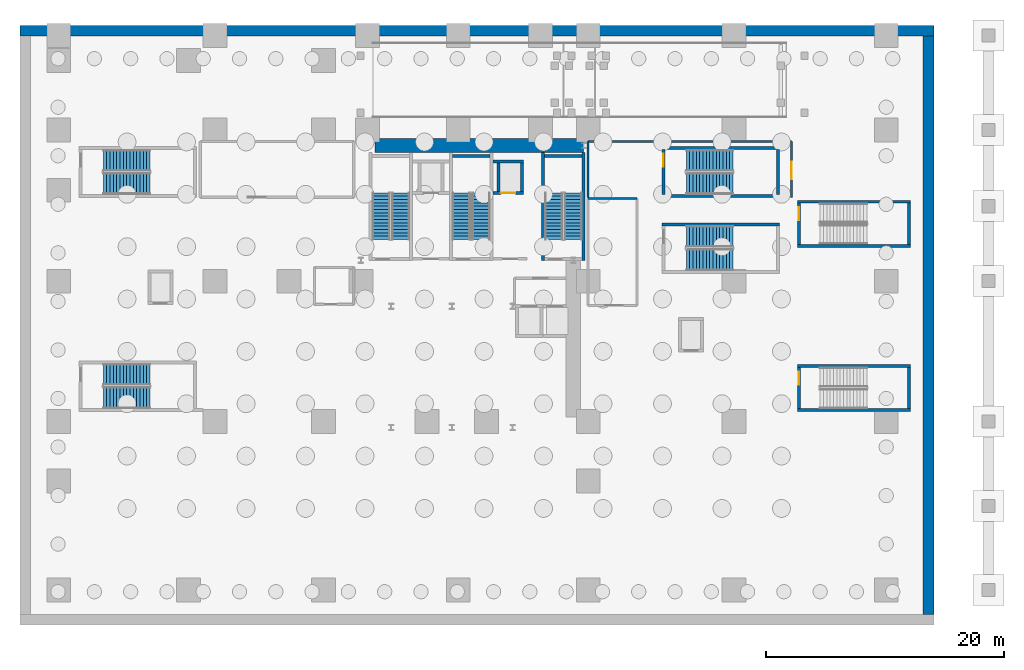
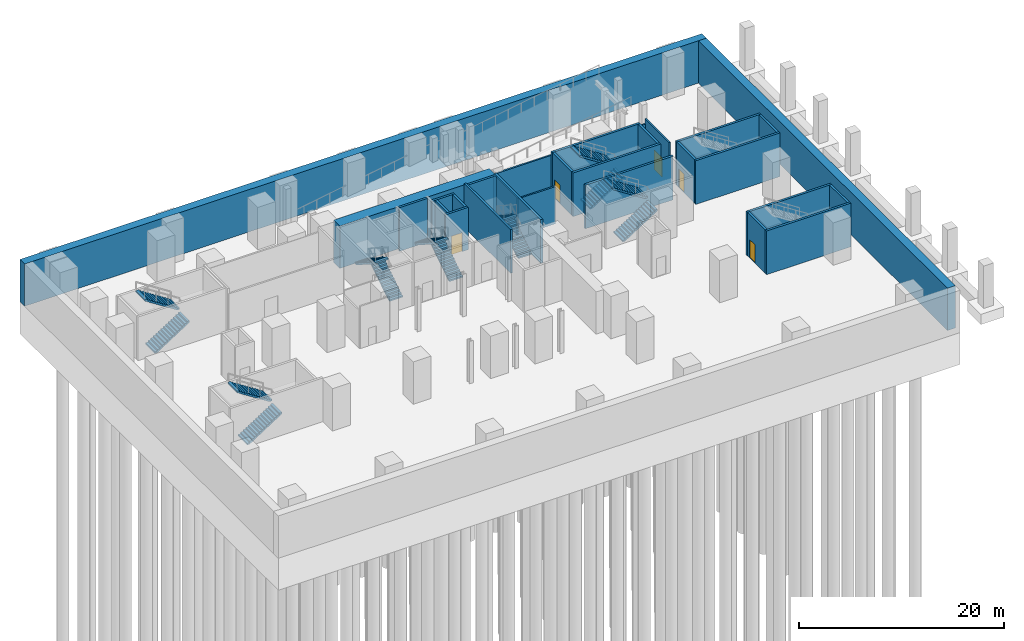
# One storey, part 6 of 14: 28 walls, 14 stair flights, 5 doors, 5 openings, 7 elements without a shape of their own.
"""IFC4 building model written with IfcOpenShell, lengths in metres."""

from ifc_helpers import new_model, si_unit, direction, frame, frame_2d, origin, place, context, subcontext, project, spatial, polyline, rectangle, outline, extrude, source, transform, mapped, material, layer, layer_set, type_object, element, fill, aggregate, save


model = new_model("IFC4")

# Units and contexts
model_context = context("Model", 3, precision=1e-05, world=origin(), true_north=direction((0.0, 1.0)))
body_context = subcontext(model_context, "Body", "Model", "MODEL_VIEW")
ifc_project = project(units=[si_unit("LENGTHUNIT", "METRE"), si_unit("AREAUNIT", "SQUARE_METRE"), si_unit("VOLUMEUNIT", "CUBIC_METRE"), si_unit("PLANEANGLEUNIT", "RADIAN"), si_unit("MASSUNIT", "GRAM", prefix="KILO")], contexts=[model_context])

# Site, building, storey
site_placement = place(None, origin())
site = spatial("IfcSite", under=ifc_project, at=site_placement, CompositionType="ELEMENT")
building_placement = place(site_placement, origin())
building = spatial("IfcBuilding", under=site, at=building_placement, Name="Vardaveli Station Tower", CompositionType="ELEMENT")
storey_placement = place(building_placement, frame((0.0, 0.0, -11.39990234375)))
storey = spatial("IfcBuildingStorey", under=building, at=storey_placement, Name="B02", CompositionType="ELEMENT", Elevation=-11.39990234375)

# Walls
ifc_material_1 = material(Name="Concrete C70/85", Category="concrete")
ifc_layer_1 = layer(ifc_material_1, 1.199951171875, Name="Concrete C70/85")
ifc_layer_set_1 = layer_set([ifc_layer_1], Name="Concrete C70/85")
wall_type_1 = type_object("IfcWallType", Name="WAL-CORE-1200", PredefinedType="SHEAR", material=ifc_layer_set_1)
shared_shape_1 = source(origin(), body_context, "Body", "SweptSolid", [
    extrude(rectangle(XDim=17.52001953125, YDim=1.199951171875, at=frame_2d((8.760009765625, 0.0))), origin(), (0.0, 0.0, 1.0), 5.039794921875),
])
wall_1_placement = place(storey_placement, frame((29.85009765625, 40.300048828125, 0.0), z_axis=(0.0, 0.0, 1.0), x_axis=(1.0, 0.0, 0.0)))
element("IfcWall", 1, at=wall_1_placement, inside=storey, type_object=wall_type_1, Name="SW-B02-NORTH", PredefinedType="SHEAR", context=body_context, shape_type="MappedRepresentation", body=[
    mapped(shared_shape_1, transform((0.0, 0.0, 0.0), scale=1.0)),
])
ifc_material_2 = material(Name="Concrete C40/50", Category="concrete")
ifc_layer_2 = layer(ifc_material_2, 0.89990234375, Name="Concrete C40/50")
ifc_layer_set_2 = layer_set([ifc_layer_2], Name="Concrete C40/50")
wall_type_2 = type_object("IfcWallType", Name="WAL-RET-900", PredefinedType="SOLIDWALL", material=ifc_layer_set_2)
shared_shape_2 = source(origin(), body_context, "Body", "SweptSolid", [
    extrude(rectangle(XDim=76.800048828125, YDim=0.89990234375, at=frame_2d((38.39990234375, 0.0))), origin(), (0.0, 0.0, 1.0), 5.039794921875),
])
wall_2_placement = place(storey_placement, frame((0.0, 49.949951171875, 0.0), z_axis=(0.0, 0.0, 1.0), x_axis=(1.0, 0.0, 0.0)))
element("IfcWall", 2, at=wall_2_placement, inside=storey, type_object=wall_type_2, Name="BW-B02-N", PredefinedType="SOLIDWALL", context=body_context, shape_type="MappedRepresentation", body=[
    mapped(shared_shape_2, transform((0.0, 0.0, 0.0), scale=1.0)),
])
shared_shape_3 = source(origin(), body_context, "Body", "SweptSolid", [
    extrude(rectangle(XDim=48.60009765625, YDim=0.89990234375, at=frame_2d((24.300048828125, 0.0))), origin(), (0.0, 0.0, 1.0), 5.039794921875),
])
wall_3_placement = place(storey_placement, frame((76.35009765625, 0.89990234375, 0.0), z_axis=(0.0, 0.0, 1.0), x_axis=(0.0, 1.0, 0.0)))
element("IfcWall", 3, at=wall_3_placement, inside=storey, type_object=wall_type_2, Name="BW-B02-E", PredefinedType="SOLIDWALL", context=body_context, shape_type="MappedRepresentation", body=[
    mapped(shared_shape_3, transform((0.0, 0.0, 0.0), scale=1.0)),
])
ifc_layer_3 = layer(ifc_material_2, 0.25, Name="Concrete C40/50")
ifc_layer_set_3 = layer_set([ifc_layer_3], Name="Concrete C40/50")
wall_type_3 = type_object("IfcWallType", Name="WAL-SHAFT-250", PredefinedType="SOLIDWALL", material=ifc_layer_set_3)
shared_shape_4 = source(origin(), body_context, "Body", "SweptSolid", [
    extrude(rectangle(XDim=9.050048828125, YDim=0.25, at=frame_2d((4.52490234375, 0.0))), origin(), (0.0, 0.0, 1.0), 5.199951171875),
])
for number, where, z_axis, x_axis, name in (
    (4, (43.97509765625, 30.64990234375, 0.0), (0.0, 0.0, 1.0), (0.0, 1.0, 0.0), "W-B02-ST-3W"),
    (5, (47.375, 30.64990234375, 0.0), (0.0, 0.0, 1.0), (0.0, 1.0, 0.0), "W-B02-ST-3E"),
):
    element("IfcWall", number, at=place(storey_placement, frame(where, z_axis=z_axis, x_axis=x_axis)), inside=storey, type_object=wall_type_3, Name=name, PredefinedType="SOLIDWALL", context=body_context, shape_type="MappedRepresentation", body=[
        mapped(shared_shape_4, transform((0.0, 0.0, 0.0), scale=1.0)),
    ])
shared_shape_5 = source(origin(), body_context, "Body", "SweptSolid", [
    extrude(rectangle(XDim=3.14990234375, YDim=0.25, at=frame_2d((1.574951171875, 0.0))), origin(), (0.0, 0.0, 1.0), 5.199951171875),
])
for number, where, z_axis, x_axis, name in (
    (6, (36.35009765625, 39.425048828125, 0.0), (0.0, 0.0, 1.0), (1.0, 0.0, 0.0), "W-B02-ST-2N"),
    (7, (44.10009765625, 39.425048828125, 0.0), (0.0, 0.0, 1.0), (1.0, 0.0, 0.0), "W-B02-ST-3N"),
):
    element("IfcWall", number, at=place(storey_placement, frame(where, z_axis=z_axis, x_axis=x_axis)), inside=storey, type_object=wall_type_3, Name=name, PredefinedType="SOLIDWALL", context=body_context, shape_type="MappedRepresentation", body=[
        mapped(shared_shape_5, transform((0.0, 0.0, 0.0), scale=1.0)),
    ])
shared_shape_6 = source(origin(), body_context, "Body", "SweptSolid", [
    extrude(rectangle(XDim=9.900146484375, YDim=0.25, at=frame_2d((4.9501953125, 0.0))), origin(), (0.0, 0.0, 1.0), 5.199951171875),
])
for number, where, z_axis, x_axis, name in (
    (8, (53.949951171875, 33.675048828125, 0.0), (0.0, 0.0, 1.0), (1.0, 0.0, 0.0), "W-B02-ST-S2N"),
    (9, (53.949951171875, 36.074951171875, 0.0), (0.0, 0.0, 1.0), (1.0, 0.0, 0.0), "W-B02-ST-P2S"),
    (10, (53.949951171875, 40.074951171875, 0.0), (0.0, 0.0, 1.0), (1.0, 0.0, 0.0), "W-B02-ST-P2N"),
):
    element("IfcWall", number, at=place(storey_placement, frame(where, z_axis=z_axis, x_axis=x_axis)), inside=storey, type_object=wall_type_3, Name=name, PredefinedType="SOLIDWALL", context=body_context, shape_type="MappedRepresentation", body=[
        mapped(shared_shape_6, transform((0.0, 0.0, 0.0), scale=1.0)),
    ])
shared_shape_7 = source(origin(), body_context, "Body", "SweptSolid", [
    extrude(rectangle(XDim=3.75, YDim=0.25, at=frame_2d((1.875, 0.0))), origin(), (0.0, 0.0, 1.0), 5.199951171875),
])
wall_4_placement = place(storey_placement, frame((63.72509765625, 36.199951171875, 0.0), z_axis=(0.0, 0.0, 1.0), x_axis=(0.0, 1.0, 0.0)))
element("IfcWall", 11, at=wall_4_placement, inside=storey, type_object=wall_type_3, Name="W-B02-ST-P2E", PredefinedType="SOLIDWALL", context=body_context, shape_type="MappedRepresentation", body=[
    mapped(shared_shape_7, transform((0.0, 0.0, 0.0), scale=1.0)),
])

# Wall, opening, door
wall_5_placement = place(storey_placement, frame((54.074951171875, 36.199951171875, 0.0), z_axis=(0.0, 0.0, 1.0), x_axis=(0.0, 1.0, 0.0)))
wall_5 = element("IfcWall", 12, at=wall_5_placement, inside=storey, type_object=wall_type_3, Name="W-B02-ST-P2W", PredefinedType="SOLIDWALL", context=body_context, shape_type="MappedRepresentation", body=[
    mapped(shared_shape_7, transform((0.0, 0.0, 0.0), scale=1.0)),
])
shared_shape_8 = source(origin(), body_context, "Body", "SweptSolid", [
    extrude(rectangle(XDim=1.10009765625, YDim=2.199951171875, at=frame_2d((0.550048828125, 1.10009765625))), frame((0.0, 0.135009765625, 0.0), z_axis=(0.0, -1.0, 0.0), x_axis=(1.0, 0.0, 0.0)), (0.0, 0.0, 1.0), 0.27001953125),
])
opening_1_placement = place(wall_5_placement, frame((2.300048828125, 0.0, 0.0)))
opening_1 = element("IfcOpeningElement", 13, at=opening_1_placement, cuts=wall_5, Name="Opening D-04", PredefinedType="OPENING", context=body_context, shape_type="MappedRepresentation", body=[
    mapped(shared_shape_8, transform((0.0, 0.0, 0.0), scale=1.0)),
])
ifc_material_3 = material(Name="Steel smokeproof fire doorset", Category="steel")
door_type_1 = type_object("IfcDoorType", Name="DR-ST-1100x2200", OperationType="NOTDEFINED", PredefinedType="DOOR", material=ifc_material_3)
shared_shape_9 = source(origin(), body_context, "Body", "SweptSolid", [
    extrude(rectangle(XDim=1.10009765625, YDim=2.199951171875, at=frame_2d((0.550048828125, 1.10009765625))), frame((0.0, 0.02490234375, 0.0), z_axis=(0.0, -1.0, 0.0), x_axis=(1.0, 0.0, 0.0)), (0.0, 0.0, 1.0), 0.050048828125),
])
door_1_placement = place(opening_1_placement, origin())
door_1 = element("IfcDoor", 14, at=door_1_placement, inside=storey, type_object=door_type_1, Name="DST-P2-B02", OperationType="SINGLE_SWING_RIGHT", OverallHeight=2.199951171875, OverallWidth=1.10009765625, PredefinedType="DOOR", context=body_context, shape_type="MappedRepresentation", body=[
    mapped(shared_shape_9, transform((0.0, 0.0, 0.0), scale=1.0)),
])
fill(opening_1, door_1)

# Walls
shared_shape_10 = source(origin(), body_context, "Body", "SweptSolid", [
    extrude(rectangle(XDim=9.5, YDim=0.25, at=frame_2d((4.75, 0.0))), origin(), (0.0, 0.0, 1.0), 5.199951171875),
])
for number, where, z_axis, x_axis, name in (
    (15, (65.35009765625, 18.074951171875, 0.0), (0.0, 0.0, 1.0), (1.0, 0.0, 0.0), "W-B02-ST-C1S"),
    (16, (65.35009765625, 21.77490234375, 0.0), (0.0, 0.0, 1.0), (1.0, 0.0, 0.0), "W-B02-ST-C1N"),
    (17, (65.35009765625, 31.875, 0.0), (0.0, 0.0, 1.0), (1.0, 0.0, 0.0), "W-B02-ST-C2S"),
    (18, (65.35009765625, 35.574951171875, 0.0), (0.0, 0.0, 1.0), (1.0, 0.0, 0.0), "W-B02-ST-C2N"),
):
    element("IfcWall", number, at=place(storey_placement, frame(where, z_axis=z_axis, x_axis=x_axis)), inside=storey, type_object=wall_type_3, Name=name, PredefinedType="SOLIDWALL", context=body_context, shape_type="MappedRepresentation", body=[
        mapped(shared_shape_10, transform((0.0, 0.0, 0.0), scale=1.0)),
    ])
shared_shape_11 = source(origin(), body_context, "Body", "SweptSolid", [
    extrude(rectangle(XDim=3.449951171875, YDim=0.25, at=frame_2d((1.72509765625, 0.0))), origin(), (0.0, 0.0, 1.0), 5.199951171875),
])
wall_6_placement = place(storey_placement, frame((74.72509765625, 18.199951171875, 0.0), z_axis=(0.0, 0.0, 1.0), x_axis=(0.0, 1.0, 0.0)))
element("IfcWall", 19, at=wall_6_placement, inside=storey, type_object=wall_type_3, Name="W-B02-ST-C1E", PredefinedType="SOLIDWALL", context=body_context, shape_type="MappedRepresentation", body=[
    mapped(shared_shape_11, transform((0.0, 0.0, 0.0), scale=1.0)),
])

# Wall, opening, door
wall_7_placement = place(storey_placement, frame((65.47509765625, 18.199951171875, 0.0), z_axis=(0.0, 0.0, 1.0), x_axis=(0.0, 1.0, 0.0)))
wall_7 = element("IfcWall", 20, at=wall_7_placement, inside=storey, type_object=wall_type_3, Name="W-B02-ST-C1W", PredefinedType="SOLIDWALL", context=body_context, shape_type="MappedRepresentation", body=[
    mapped(shared_shape_11, transform((0.0, 0.0, 0.0), scale=1.0)),
])
opening_2_placement = place(wall_7_placement, frame((2.0, 0.0, 0.0)))
opening_2 = element("IfcOpeningElement", 21, at=opening_2_placement, cuts=wall_7, Name="Opening D-04", PredefinedType="OPENING", context=body_context, shape_type="MappedRepresentation", body=[
    mapped(shared_shape_8, transform((0.0, 0.0, 0.0), scale=1.0)),
])
door_2_placement = place(opening_2_placement, origin())
door_2 = element("IfcDoor", 22, at=door_2_placement, inside=storey, type_object=door_type_1, Name="DST-C1-B02", OperationType="SINGLE_SWING_RIGHT", OverallHeight=2.199951171875, OverallWidth=1.10009765625, PredefinedType="DOOR", context=body_context, shape_type="MappedRepresentation", body=[
    mapped(shared_shape_9, transform((0.0, 0.0, 0.0), scale=1.0)),
])
fill(opening_2, door_2)

# Wall
wall_8_placement = place(storey_placement, frame((74.72509765625, 32.0, 0.0), z_axis=(0.0, 0.0, 1.0), x_axis=(0.0, 1.0, 0.0)))
element("IfcWall", 23, at=wall_8_placement, inside=storey, type_object=wall_type_3, Name="W-B02-ST-C2E", PredefinedType="SOLIDWALL", context=body_context, shape_type="MappedRepresentation", body=[
    mapped(shared_shape_11, transform((0.0, 0.0, 0.0), scale=1.0)),
])

# Wall, opening, door
wall_9_placement = place(storey_placement, frame((65.47509765625, 32.0, 0.0), z_axis=(0.0, 0.0, 1.0), x_axis=(0.0, 1.0, 0.0)))
wall_9 = element("IfcWall", 24, at=wall_9_placement, inside=storey, type_object=wall_type_3, Name="W-B02-ST-C2W", PredefinedType="SOLIDWALL", context=body_context, shape_type="MappedRepresentation", body=[
    mapped(shared_shape_11, transform((0.0, 0.0, 0.0), scale=1.0)),
])
opening_3_placement = place(wall_9_placement, frame((2.0, 0.0, 0.0)))
opening_3 = element("IfcOpeningElement", 25, at=opening_3_placement, cuts=wall_9, Name="Opening D-04", PredefinedType="OPENING", context=body_context, shape_type="MappedRepresentation", body=[
    mapped(shared_shape_8, transform((0.0, 0.0, 0.0), scale=1.0)),
])
door_3_placement = place(opening_3_placement, origin())
door_3 = element("IfcDoor", 26, at=door_3_placement, inside=storey, type_object=door_type_1, Name="DST-C2-B02", OperationType="SINGLE_SWING_RIGHT", OverallHeight=2.199951171875, OverallWidth=1.10009765625, PredefinedType="DOOR", context=body_context, shape_type="MappedRepresentation", body=[
    mapped(shared_shape_9, transform((0.0, 0.0, 0.0), scale=1.0)),
])
fill(opening_3, door_3)

# Walls
shared_shape_12 = source(origin(), body_context, "Body", "SweptSolid", [
    extrude(rectangle(XDim=2.400146484375, YDim=0.25, at=frame_2d((1.2001953125, 0.0))), origin(), (0.0, 0.0, 1.0), 5.039794921875),
])
for number, where, z_axis, x_axis, name in (
    (27, (40.22509765625, 36.449951171875, 0.0), (0.0, 0.0, 1.0), (0.0, 1.0, 0.0), "SHW-FFL-02-B02-W"),
    (28, (42.175048828125, 36.449951171875, 0.0), (0.0, 0.0, 1.0), (0.0, 1.0, 0.0), "SHW-FFL-02-B02-E"),
):
    element("IfcWall", number, at=place(storey_placement, frame(where, z_axis=z_axis, x_axis=x_axis)), inside=storey, type_object=wall_type_3, Name=name, PredefinedType="SOLIDWALL", context=body_context, shape_type="MappedRepresentation", body=[
        mapped(shared_shape_12, transform((0.0, 0.0, 0.0), scale=1.0)),
    ])

# Wall, opening, door
shared_shape_13 = source(origin(), body_context, "Body", "SweptSolid", [
    extrude(rectangle(XDim=2.550048828125, YDim=0.25, at=frame_2d((1.27490234375, 0.0))), origin(), (0.0, 0.0, 1.0), 5.039794921875),
])
wall_10_placement = place(storey_placement, frame((39.75, 36.324951171875, 0.0), z_axis=(0.0, 0.0, 1.0), x_axis=(1.0, 0.0, 0.0)))
wall_10 = element("IfcWall", 29, at=wall_10_placement, inside=storey, type_object=wall_type_3, Name="SHW-FFL-02-B02-S", PredefinedType="SOLIDWALL", context=body_context, shape_type="MappedRepresentation", body=[
    mapped(shared_shape_13, transform((0.0, 0.0, 0.0), scale=1.0)),
])
shared_shape_14 = source(origin(), body_context, "Body", "SweptSolid", [
    extrude(rectangle(XDim=1.199951171875, YDim=2.25, at=frame_2d((0.60009765625, 1.125))), frame((0.0, 0.135009765625, 0.0), z_axis=(0.0, -1.0, 0.0), x_axis=(1.0, 0.0, 0.0)), (0.0, 0.0, 1.0), 0.27001953125),
])
opening_4_placement = place(wall_10_placement, frame((0.675048828125, 0.0, 0.0)))
opening_4 = element("IfcOpeningElement", 30, at=opening_4_placement, cuts=wall_10, Name="Opening LD-02", PredefinedType="OPENING", context=body_context, shape_type="MappedRepresentation", body=[
    mapped(shared_shape_14, transform((0.0, 0.0, 0.0), scale=1.0)),
])
ifc_material_4 = material(Name="Brushed stainless steel", Category="steel")
door_type_2 = type_object("IfcDoorType", Name="DR-LD-1200x2250", OperationType="DOUBLE_DOOR_SLIDING", PredefinedType="DOOR", material=ifc_material_4)
shared_shape_15 = source(origin(), body_context, "Body", "SweptSolid", [
    extrude(rectangle(XDim=1.199951171875, YDim=2.25, at=frame_2d((0.60009765625, 1.125))), frame((0.0, 0.02490234375, 0.0), z_axis=(0.0, -1.0, 0.0), x_axis=(1.0, 0.0, 0.0)), (0.0, 0.0, 1.0), 0.050048828125),
])
door_4_placement = place(opening_4_placement, origin())
door_4 = element("IfcDoor", 31, at=door_4_placement, inside=storey, type_object=door_type_2, Name="LD-FFL-02-B02", OperationType="DOUBLE_DOOR_SLIDING", OverallHeight=2.25, OverallWidth=1.199951171875, PredefinedType="DOOR", context=body_context, shape_type="MappedRepresentation", body=[
    mapped(shared_shape_15, transform((0.0, 0.0, 0.0), scale=1.0)),
])
fill(opening_4, door_4)

# Wall
wall_11_placement = place(storey_placement, frame((39.75, 38.97509765625, 0.0), z_axis=(0.0, 0.0, 1.0), x_axis=(1.0, 0.0, 0.0)))
element("IfcWall", 32, at=wall_11_placement, inside=storey, type_object=wall_type_3, Name="SHW-FFL-02-B02-N", PredefinedType="SOLIDWALL", context=body_context, shape_type="MappedRepresentation", body=[
    mapped(shared_shape_13, transform((0.0, 0.0, 0.0), scale=1.0)),
])

# Wall, opening, door
ifc_material_5 = material(Name="Fire-rated gypsum stud partition")
ifc_layer_4 = layer(ifc_material_5, 0.179931640625, Name="Fire-rated gypsum stud partition")
ifc_layer_set_4 = layer_set([ifc_layer_4], Name="Fire-rated gypsum stud partition")
wall_type_4 = type_object("IfcWallType", Name="WAL-CORR-180", PredefinedType="PARTITIONING", material=ifc_layer_set_4)
shared_shape_16 = source(origin(), body_context, "Body", "SweptSolid", [
    extrude(rectangle(XDim=4.699951171875, YDim=0.179931640625, at=frame_2d((2.35009765625, 0.0))), origin(), (0.0, 0.0, 1.0), 5.039794921875),
])
wall_12_placement = place(storey_placement, frame((64.85009765625, 35.949951171875, 0.0), z_axis=(0.0, 0.0, 1.0), x_axis=(0.0, 1.0, 0.0)))
wall_12 = element("IfcWall", 33, at=wall_12_placement, inside=storey, type_object=wall_type_4, Name="W-B02-PL1-E", PredefinedType="PARTITIONING", context=body_context, shape_type="MappedRepresentation", body=[
    mapped(shared_shape_16, transform((0.0, 0.0, 0.0), scale=1.0)),
])
shared_shape_17 = source(origin(), body_context, "Body", "SweptSolid", [
    extrude(rectangle(XDim=1.5, YDim=2.300048828125, at=frame_2d((0.75, 1.14990234375))), frame((0.0, 0.10009765625, 0.0), z_axis=(0.0, -1.0, 0.0), x_axis=(1.0, 0.0, 0.0)), (0.0, 0.0, 1.0), 0.199951171875),
])
opening_5_placement = place(wall_12_placement, frame((1.5, 0.0, 0.0)))
opening_5 = element("IfcOpeningElement", 34, at=opening_5_placement, cuts=wall_12, Name="Opening D-02", PredefinedType="OPENING", context=body_context, shape_type="MappedRepresentation", body=[
    mapped(shared_shape_17, transform((0.0, 0.0, 0.0), scale=1.0)),
])
ifc_material_6 = material(Name="Galvanised steel acoustic doorset", Category="steel")
door_type_3 = type_object("IfcDoorType", Name="DR-PLANT-1500x2300", OperationType="DOUBLE_DOOR_SINGLE_SWING", PredefinedType="DOOR", material=ifc_material_6)
shared_shape_18 = source(origin(), body_context, "Body", "SweptSolid", [
    extrude(rectangle(XDim=1.5, YDim=2.300048828125, at=frame_2d((0.75, 1.14990234375))), frame((0.0, 0.02490234375, 0.0), z_axis=(0.0, -1.0, 0.0), x_axis=(1.0, 0.0, 0.0)), (0.0, 0.0, 1.0), 0.050048828125),
])
door_5_placement = place(opening_5_placement, origin())
door_5 = element("IfcDoor", 35, at=door_5_placement, inside=storey, type_object=door_type_3, Name="D-B02-PL1", OperationType="DOUBLE_DOOR_SINGLE_SWING", OverallHeight=2.300048828125, OverallWidth=1.5, PredefinedType="DOOR", context=body_context, shape_type="MappedRepresentation", body=[
    mapped(shared_shape_18, transform((0.0, 0.0, 0.0), scale=1.0)),
])
fill(opening_5, door_5)

# Walls
shared_shape_19 = source(origin(), body_context, "Body", "SweptSolid", [
    extrude(rectangle(XDim=4.10009765625, YDim=0.179931640625, at=frame_2d((2.050048828125, 0.0))), origin(), (0.0, 0.0, 1.0), 4.431884765625),
])
wall_13_placement = place(storey_placement, frame((47.75, 35.85009765625, 0.0), z_axis=(0.0, 0.0, 1.0), x_axis=(1.0, 0.0, 0.0)))
element("IfcWall", 36, at=wall_13_placement, inside=storey, type_object=wall_type_4, Name="W-B02-BK1-N", PredefinedType="PARTITIONING", context=body_context, shape_type="MappedRepresentation", body=[
    mapped(shared_shape_19, transform((0.0, 0.0, 0.0), scale=1.0)),
])
shared_shape_20 = source(origin(), body_context, "Body", "SweptSolid", [
    extrude(rectangle(XDim=17.10009765625, YDim=0.179931640625, at=frame_2d((8.550048828125, 0.0))), origin(), (0.0, 0.0, 1.0), 4.431884765625),
])
wall_14_placement = place(storey_placement, frame((47.75, 40.64990234375, 0.0), z_axis=(0.0, 0.0, 1.0), x_axis=(1.0, 0.0, 0.0)))
element("IfcWall", 37, at=wall_14_placement, inside=storey, type_object=wall_type_4, Name="W-B02-PL1-N", PredefinedType="PARTITIONING", context=body_context, shape_type="MappedRepresentation", body=[
    mapped(shared_shape_20, transform((0.0, 0.0, 0.0), scale=1.0)),
])
shared_shape_21 = source(origin(), body_context, "Body", "SweptSolid", [
    extrude(rectangle(XDim=4.699951171875, YDim=0.179931640625, at=frame_2d((2.35009765625, 0.0))), origin(), (0.0, 0.0, 1.0), 4.431884765625),
])
wall_15_placement = place(storey_placement, frame((47.75, 35.949951171875, 0.0), z_axis=(0.0, 0.0, 1.0), x_axis=(0.0, 1.0, 0.0)))
element("IfcWall", 38, at=wall_15_placement, inside=storey, type_object=wall_type_4, Name="W-B02-PL1-W", PredefinedType="PARTITIONING", context=body_context, shape_type="MappedRepresentation", body=[
    mapped(shared_shape_21, transform((0.0, 0.0, 0.0), scale=1.0)),
])

# Stair, stair flights
stair_type_1 = type_object("IfcStairType", Name="STR-CORE-1500", PredefinedType="HALF_TURN_STAIR", material=ifc_material_2)
stair_1_placement = place(storey_placement, origin())
stair_1 = element("IfcStair", 39, at=stair_1_placement, inside=storey, type_object=stair_type_1, Name="B02 ST-1", PredefinedType="HALF_TURN_STAIR")
stair_flight_type_1 = type_object("IfcStairFlightType", Name="SFL-CORE-1500", PredefinedType="STRAIGHT", material=ifc_material_2)
shared_shape_22 = source(origin(), body_context, "Body", "SweptSolid", [
    extrude(outline(polyline([(0.0, 0.0), (0.0, 0.179931640625), (0.280029296875, 0.179931640625), (0.280029296875, 0.360107421875), (0.56005859375, 0.360107421875), (0.56005859375, 0.5400390625), (0.840087890625, 0.5400390625), (0.840087890625, 0.719970703125), (1.1201171875, 0.719970703125), (1.1201171875, 0.89990234375), (1.39990234375, 0.89990234375), (1.39990234375, 1.080078125), (1.679931640625, 1.080078125), (1.679931640625, 1.260009765625), (1.9599609375, 1.260009765625), (1.9599609375, 1.43994140625), (2.239990234375, 1.43994140625), (2.239990234375, 1.6201171875), (2.52001953125, 1.6201171875), (2.52001953125, 1.800048828125), (2.800048828125, 1.800048828125), (2.800048828125, 1.97998046875), (3.080078125, 1.97998046875), (3.080078125, 2.159912109375), (3.360107421875, 2.159912109375), (3.360107421875, 2.340087890625), (3.639892578125, 2.340087890625), (3.639892578125, 2.52001953125), (3.919921875, 2.52001953125), (3.919921875, 2.699951171875), (3.919921875, 2.341796875), (0.277099609375, 0.0), (0.0, 0.0)])), frame((0.0, 0.75, 0.0), z_axis=(0.0, -1.0, 0.0), x_axis=(1.0, 0.0, 0.0)), (0.0, 0.0, 1.0), 1.5),
])
stair_flight_1_placement = place(storey_placement, frame((32.0, 32.39990234375, 0.0), z_axis=(0.0, 0.0, 1.0), x_axis=(0.0, 1.0, 0.0)))
stair_flight_1 = element("IfcStairFlight", 40, at=stair_flight_1_placement, type_object=stair_flight_type_1, Name="ST-1 flight 1", NumberOfRisers=15, NumberOfTreads=14, PredefinedType="STRAIGHT", RiserHeight=0.18, TreadLength=0.28, context=body_context, shape_type="MappedRepresentation", body=[
    mapped(shared_shape_22, transform((0.0, 0.0, 0.0), scale=1.0)),
])
stair_flight_2_placement = place(storey_placement, frame((30.35009765625, 36.320068359375, 2.699951171875), z_axis=(0.0, 0.0, 1.0), x_axis=(0.0, -1.0, 0.0)))
stair_flight_2 = element("IfcStairFlight", 41, at=stair_flight_2_placement, type_object=stair_flight_type_1, Name="ST-1 flight 2", NumberOfRisers=15, NumberOfTreads=14, PredefinedType="STRAIGHT", RiserHeight=0.18, TreadLength=0.28, context=body_context, shape_type="MappedRepresentation", body=[
    mapped(shared_shape_22, transform((0.0, 0.0, 0.0), scale=1.0)),
])
aggregate(stair_1, [stair_flight_1, stair_flight_2])

stair_2_placement = place(storey_placement, origin())
stair_2 = element("IfcStair", 42, at=stair_2_placement, inside=storey, type_object=stair_type_1, Name="B02 ST-2", PredefinedType="HALF_TURN_STAIR")
stair_flight_3_placement = place(storey_placement, frame((38.75, 32.39990234375, 0.0), z_axis=(0.0, 0.0, 1.0), x_axis=(0.0, 1.0, 0.0)))
stair_flight_3 = element("IfcStairFlight", 43, at=stair_flight_3_placement, type_object=stair_flight_type_1, Name="ST-2 flight 1", NumberOfRisers=15, NumberOfTreads=14, PredefinedType="STRAIGHT", RiserHeight=0.18, TreadLength=0.28, context=body_context, shape_type="MappedRepresentation", body=[
    mapped(shared_shape_22, transform((0.0, 0.0, 0.0), scale=1.0)),
])
stair_flight_4_placement = place(storey_placement, frame((37.10009765625, 36.320068359375, 2.699951171875), z_axis=(0.0, 0.0, 1.0), x_axis=(0.0, -1.0, 0.0)))
stair_flight_4 = element("IfcStairFlight", 44, at=stair_flight_4_placement, type_object=stair_flight_type_1, Name="ST-2 flight 2", NumberOfRisers=15, NumberOfTreads=14, PredefinedType="STRAIGHT", RiserHeight=0.18, TreadLength=0.28, context=body_context, shape_type="MappedRepresentation", body=[
    mapped(shared_shape_22, transform((0.0, 0.0, 0.0), scale=1.0)),
])
aggregate(stair_2, [stair_flight_3, stair_flight_4])

stair_3_placement = place(storey_placement, origin())
stair_3 = element("IfcStair", 45, at=stair_3_placement, inside=storey, type_object=stair_type_1, Name="B02 ST-3", PredefinedType="HALF_TURN_STAIR")
stair_flight_5_placement = place(storey_placement, frame((46.5, 32.39990234375, 0.0), z_axis=(0.0, 0.0, 1.0), x_axis=(0.0, 1.0, 0.0)))
stair_flight_5 = element("IfcStairFlight", 46, at=stair_flight_5_placement, type_object=stair_flight_type_1, Name="ST-3 flight 1", NumberOfRisers=15, NumberOfTreads=14, PredefinedType="STRAIGHT", RiserHeight=0.18, TreadLength=0.28, context=body_context, shape_type="MappedRepresentation", body=[
    mapped(shared_shape_22, transform((0.0, 0.0, 0.0), scale=1.0)),
])
stair_flight_6_placement = place(storey_placement, frame((44.85009765625, 36.320068359375, 2.699951171875), z_axis=(0.0, 0.0, 1.0), x_axis=(0.0, -1.0, 0.0)))
stair_flight_6 = element("IfcStairFlight", 47, at=stair_flight_6_placement, type_object=stair_flight_type_1, Name="ST-3 flight 2", NumberOfRisers=15, NumberOfTreads=14, PredefinedType="STRAIGHT", RiserHeight=0.18, TreadLength=0.28, context=body_context, shape_type="MappedRepresentation", body=[
    mapped(shared_shape_22, transform((0.0, 0.0, 0.0), scale=1.0)),
])
aggregate(stair_3, [stair_flight_5, stair_flight_6])

stair_type_2 = type_object("IfcStairType", Name="STR-POD-1800", PredefinedType="HALF_TURN_STAIR", material=ifc_material_2)
stair_4_placement = place(storey_placement, origin())
stair_4 = element("IfcStair", 48, at=stair_4_placement, inside=storey, type_object=stair_type_2, Name="B02 ST-S1", PredefinedType="HALF_TURN_STAIR")
stair_flight_type_2 = type_object("IfcStairFlightType", Name="SFL-POD-1800", PredefinedType="STRAIGHT", material=ifc_material_2)
shared_shape_23 = source(origin(), body_context, "Body", "SweptSolid", [
    extrude(outline(polyline([(0.0, 0.0), (0.0, 0.179931640625), (0.280029296875, 0.179931640625), (0.280029296875, 0.360107421875), (0.56005859375, 0.360107421875), (0.56005859375, 0.5400390625), (0.840087890625, 0.5400390625), (0.840087890625, 0.719970703125), (1.1201171875, 0.719970703125), (1.1201171875, 0.89990234375), (1.39990234375, 0.89990234375), (1.39990234375, 1.080078125), (1.679931640625, 1.080078125), (1.679931640625, 1.260009765625), (1.9599609375, 1.260009765625), (1.9599609375, 1.43994140625), (2.239990234375, 1.43994140625), (2.239990234375, 1.6201171875), (2.52001953125, 1.6201171875), (2.52001953125, 1.800048828125), (2.800048828125, 1.800048828125), (2.800048828125, 1.97998046875), (3.080078125, 1.97998046875), (3.080078125, 2.159912109375), (3.360107421875, 2.159912109375), (3.360107421875, 2.340087890625), (3.639892578125, 2.340087890625), (3.639892578125, 2.52001953125), (3.919921875, 2.52001953125), (3.919921875, 2.699951171875), (3.919921875, 2.341796875), (0.277099609375, 0.0), (0.0, 0.0)])), frame((0.0, 0.89990234375, 0.0), z_axis=(0.0, -1.0, 0.0), x_axis=(1.0, 0.0, 0.0)), (0.0, 0.0, 1.0), 1.800048828125),
])
stair_flight_7_placement = place(storey_placement, frame((7.0, 19.10009765625, 0.0), z_axis=(0.0, 0.0, 1.0), x_axis=(1.0, 0.0, 0.0)))
stair_flight_7 = element("IfcStairFlight", 49, at=stair_flight_7_placement, type_object=stair_flight_type_2, Name="ST-S1 flight 1", NumberOfRisers=15, NumberOfTreads=14, PredefinedType="STRAIGHT", RiserHeight=0.18, TreadLength=0.28, context=body_context, shape_type="MappedRepresentation", body=[
    mapped(shared_shape_23, transform((0.0, 0.0, 0.0), scale=1.0)),
])
stair_flight_8_placement = place(storey_placement, frame((10.919921875, 21.050048828125, 2.699951171875), z_axis=(0.0, 0.0, 1.0), x_axis=(-1.0, 0.0, 0.0)))
stair_flight_8 = element("IfcStairFlight", 50, at=stair_flight_8_placement, type_object=stair_flight_type_2, Name="ST-S1 flight 2", NumberOfRisers=15, NumberOfTreads=14, PredefinedType="STRAIGHT", RiserHeight=0.18, TreadLength=0.28, context=body_context, shape_type="MappedRepresentation", body=[
    mapped(shared_shape_23, transform((0.0, 0.0, 0.0), scale=1.0)),
])
aggregate(stair_4, [stair_flight_7, stair_flight_8])

stair_5_placement = place(storey_placement, origin())
stair_5 = element("IfcStair", 51, at=stair_5_placement, inside=storey, type_object=stair_type_2, Name="B02 ST-S2", PredefinedType="HALF_TURN_STAIR")
stair_flight_9_placement = place(storey_placement, frame((56.0, 30.699951171875, 0.0), z_axis=(0.0, 0.0, 1.0), x_axis=(1.0, 0.0, 0.0)))
stair_flight_9 = element("IfcStairFlight", 52, at=stair_flight_9_placement, type_object=stair_flight_type_2, Name="ST-S2 flight 1", NumberOfRisers=15, NumberOfTreads=14, PredefinedType="STRAIGHT", RiserHeight=0.18, TreadLength=0.28, context=body_context, shape_type="MappedRepresentation", body=[
    mapped(shared_shape_23, transform((0.0, 0.0, 0.0), scale=1.0)),
])
stair_flight_10_placement = place(storey_placement, frame((59.919921875, 32.64990234375, 2.699951171875), z_axis=(0.0, 0.0, 1.0), x_axis=(-1.0, 0.0, 0.0)))
stair_flight_10 = element("IfcStairFlight", 53, at=stair_flight_10_placement, type_object=stair_flight_type_2, Name="ST-S2 flight 2", NumberOfRisers=15, NumberOfTreads=14, PredefinedType="STRAIGHT", RiserHeight=0.18, TreadLength=0.28, context=body_context, shape_type="MappedRepresentation", body=[
    mapped(shared_shape_23, transform((0.0, 0.0, 0.0), scale=1.0)),
])
aggregate(stair_5, [stair_flight_9, stair_flight_10])

stair_6_placement = place(storey_placement, origin())
stair_6 = element("IfcStair", 54, at=stair_6_placement, inside=storey, type_object=stair_type_2, Name="B02 ST-P1", PredefinedType="HALF_TURN_STAIR")
stair_flight_11_placement = place(storey_placement, frame((7.0, 37.10009765625, 0.0), z_axis=(0.0, 0.0, 1.0), x_axis=(1.0, 0.0, 0.0)))
stair_flight_11 = element("IfcStairFlight", 55, at=stair_flight_11_placement, type_object=stair_flight_type_2, Name="ST-P1 flight 1", NumberOfRisers=15, NumberOfTreads=14, PredefinedType="STRAIGHT", RiserHeight=0.18, TreadLength=0.28, context=body_context, shape_type="MappedRepresentation", body=[
    mapped(shared_shape_23, transform((0.0, 0.0, 0.0), scale=1.0)),
])
stair_flight_12_placement = place(storey_placement, frame((10.919921875, 39.050048828125, 2.699951171875), z_axis=(0.0, 0.0, 1.0), x_axis=(-1.0, 0.0, 0.0)))
stair_flight_12 = element("IfcStairFlight", 56, at=stair_flight_12_placement, type_object=stair_flight_type_2, Name="ST-P1 flight 2", NumberOfRisers=15, NumberOfTreads=14, PredefinedType="STRAIGHT", RiserHeight=0.18, TreadLength=0.28, context=body_context, shape_type="MappedRepresentation", body=[
    mapped(shared_shape_23, transform((0.0, 0.0, 0.0), scale=1.0)),
])
aggregate(stair_6, [stair_flight_11, stair_flight_12])

stair_7_placement = place(storey_placement, origin())
stair_7 = element("IfcStair", 57, at=stair_7_placement, inside=storey, type_object=stair_type_2, Name="B02 ST-P2", PredefinedType="HALF_TURN_STAIR")
stair_flight_13_placement = place(storey_placement, frame((56.0, 37.10009765625, 0.0), z_axis=(0.0, 0.0, 1.0), x_axis=(1.0, 0.0, 0.0)))
stair_flight_13 = element("IfcStairFlight", 58, at=stair_flight_13_placement, type_object=stair_flight_type_2, Name="ST-P2 flight 1", NumberOfRisers=15, NumberOfTreads=14, PredefinedType="STRAIGHT", RiserHeight=0.18, TreadLength=0.28, context=body_context, shape_type="MappedRepresentation", body=[
    mapped(shared_shape_23, transform((0.0, 0.0, 0.0), scale=1.0)),
])
stair_flight_14_placement = place(storey_placement, frame((59.919921875, 39.050048828125, 2.699951171875), z_axis=(0.0, 0.0, 1.0), x_axis=(-1.0, 0.0, 0.0)))
stair_flight_14 = element("IfcStairFlight", 59, at=stair_flight_14_placement, type_object=stair_flight_type_2, Name="ST-P2 flight 2", NumberOfRisers=15, NumberOfTreads=14, PredefinedType="STRAIGHT", RiserHeight=0.18, TreadLength=0.28, context=body_context, shape_type="MappedRepresentation", body=[
    mapped(shared_shape_23, transform((0.0, 0.0, 0.0), scale=1.0)),
])
aggregate(stair_7, [stair_flight_13, stair_flight_14])

save(model, "model.ifc")
